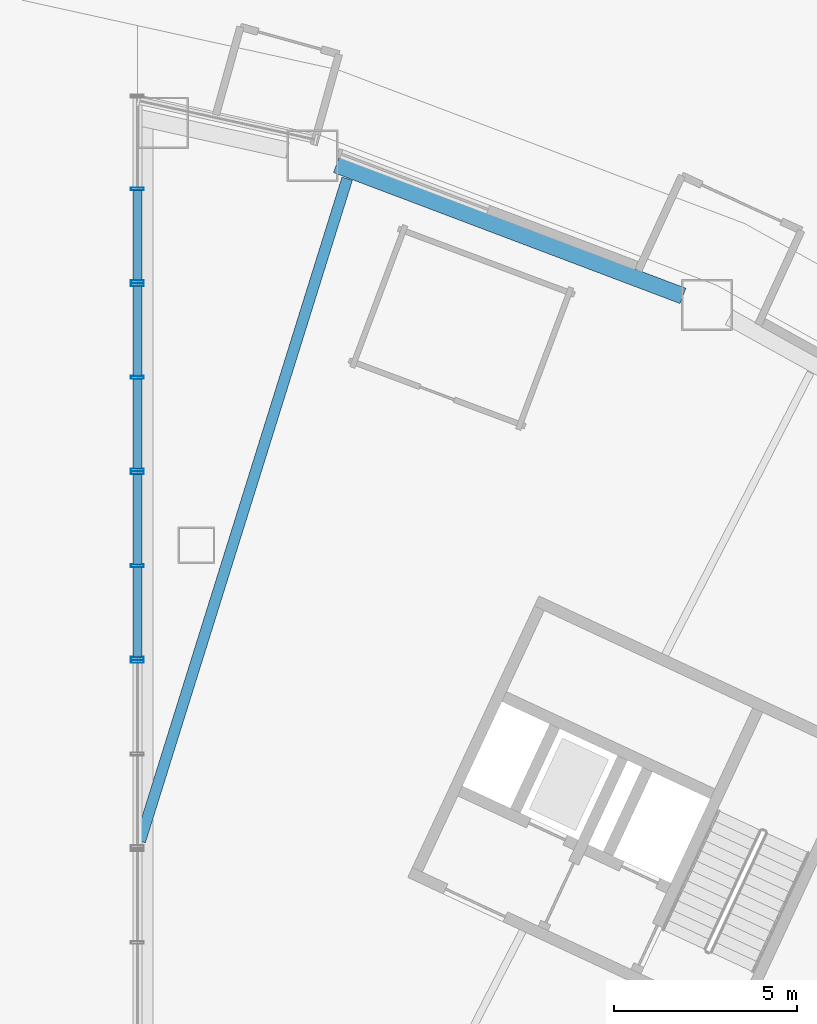
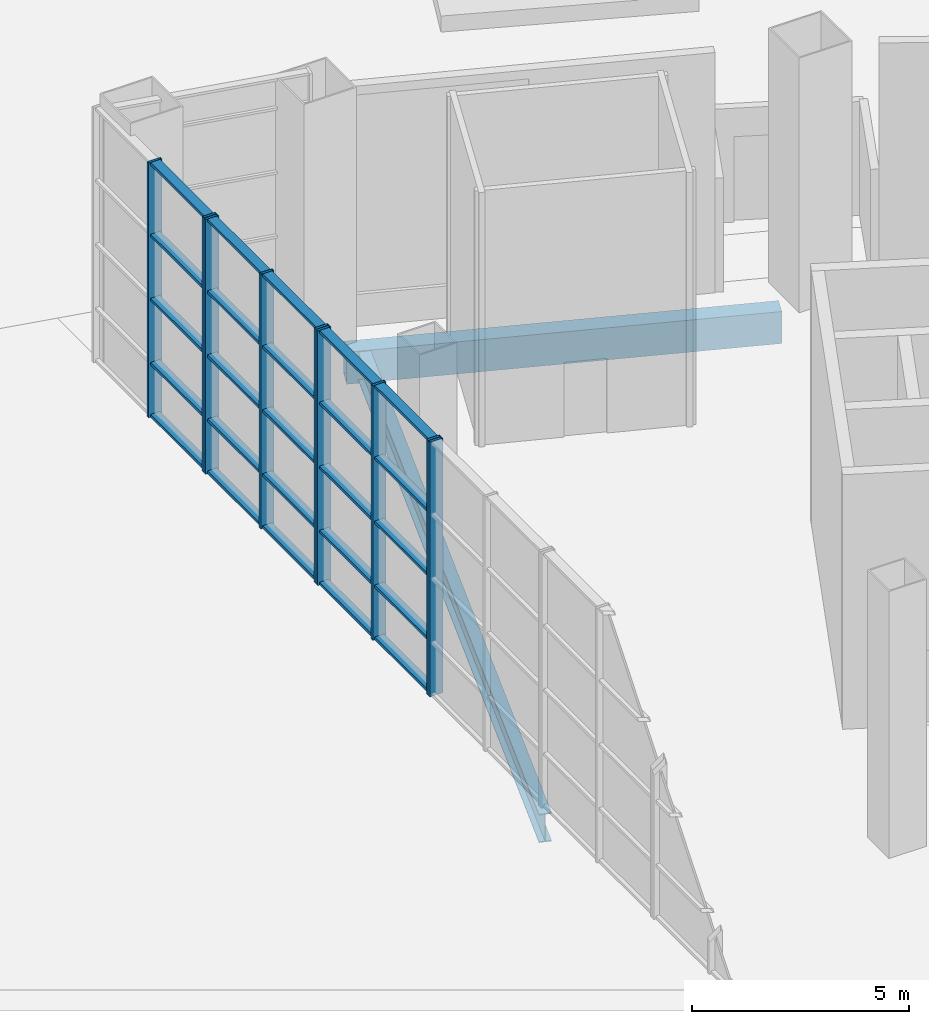
# One storey, part 23 of 45: 34 members, 2 beams, 4 elements without a shape of their own.
"""IFC4 building model written with IfcOpenShell, lengths in metres."""

from ifc_helpers import new_model, si_unit, direction, frame, origin, origin_2d, place, context, subcontext, project, spatial, hollow_rectangle, i_section, extrude, material, layer, layer_set, material_profile, profile_set, type_object, element, aggregate, save


model = new_model("IFC4")

# Units and contexts
model_context = context("Model", 3, precision=1e-05, world=origin(), true_north=direction((0.0, 1.0)))
body_context = subcontext(model_context, "Body", "Model", "MODEL_VIEW")
ifc_project = project(units=[si_unit("LENGTHUNIT", "METRE"), si_unit("AREAUNIT", "SQUARE_METRE"), si_unit("VOLUMEUNIT", "CUBIC_METRE"), si_unit("PLANEANGLEUNIT", "RADIAN"), si_unit("MASSUNIT", "GRAM", prefix="KILO")], contexts=[model_context])

# Site, building, storey
site_placement = place(None, origin())
site = spatial("IfcSite", under=ifc_project, at=site_placement, CompositionType="ELEMENT")
building_placement = place(site_placement, origin())
building = spatial("IfcBuilding", under=site, at=building_placement, Name="Tuul Gate Civic Tower", CompositionType="ELEMENT")
storey_placement = place(building_placement, origin())
storey = spatial("IfcBuildingStorey", under=building, at=storey_placement, Name="Level 00", CompositionType="ELEMENT", Elevation=0.0)

# Curtain wall, member
ifc_material_1 = material(Name="Stainless steel", Category="steel")
ifc_layer = layer(ifc_material_1, 0.199951171875)
ifc_layer_set = layer_set([ifc_layer], Name="Stainless steel")
curtain_wall_type = type_object("IfcCurtainWallType", Name="Curtain wall CW2", PredefinedType="NOTDEFINED", material=ifc_layer_set)
curtain_wall_1_placement = place(storey_placement, origin())
curtain_wall_1 = element("IfcCurtainWall", 1, at=curtain_wall_1_placement, inside=storey, type_object=curtain_wall_type, Name="Curtain wall CW2", PredefinedType="NOTDEFINED")
ifc_material_2 = material(Name="Stainless steel", Category="steel")
ifc_material_profile_1 = material_profile(ifc_material_2, hollow_rectangle(XDim=0.35009765625, YDim=0.080078125, WallThickness=0.006103515625, at=origin_2d()), Name="CW2 mullion")
ifc_profile_set_1 = profile_set([ifc_material_profile_1], Name="Stainless steel")
member_type_1 = type_object("IfcMemberType", Name="CW2 mullion", PredefinedType="MULLION", material=ifc_profile_set_1)
member_1_placement = place(storey_placement, frame((18.0, 2.753173828125, 0.0), z_axis=(0.0, 0.0, 1.0), x_axis=(-1.0, 0.0, 0.0)))
member_1 = element("IfcMember", 2, at=member_1_placement, type_object=member_type_1, Name="Mullion", PredefinedType="MULLION", context=body_context, shape_type="SweptSolid", body=[
    extrude(hollow_rectangle(XDim=0.35009765625, YDim=0.080078125, WallThickness=0.006103515625, at=origin_2d()), origin(), (0.0, 0.0, 1.0), 7.14990234375),
])
aggregate(curtain_wall_1, [member_1])

# Curtain wall, members
curtain_wall_2_placement = place(storey_placement, origin())
curtain_wall_2 = element("IfcCurtainWall", 3, at=curtain_wall_2_placement, inside=storey, type_object=curtain_wall_type, Name="Curtain wall CW2", PredefinedType="NOTDEFINED")
member_2_placement = place(storey_placement, frame((18.0, 2.833251953125, 0.0), z_axis=(0.0, 0.0, 1.0), x_axis=(-1.0, 0.0, 0.0)))
member_2 = element("IfcMember", 4, at=member_2_placement, type_object=member_type_1, Name="Mullion", PredefinedType="MULLION", context=body_context, shape_type="SweptSolid", body=[
    extrude(hollow_rectangle(XDim=0.35009765625, YDim=0.080078125, WallThickness=0.006103515625, at=origin_2d()), origin(), (0.0, 0.0, 1.0), 7.14990234375),
])
member_3_placement = place(storey_placement, frame((18.0, 5.371826171875, 0.0), z_axis=(0.0, 0.0, 1.0), x_axis=(-1.0, 0.0, 0.0)))
member_3 = element("IfcMember", 5, at=member_3_placement, type_object=member_type_1, Name="Mullion", PredefinedType="MULLION", context=body_context, shape_type="SweptSolid", body=[
    extrude(hollow_rectangle(XDim=0.35009765625, YDim=0.080078125, WallThickness=0.006103515625, at=origin_2d()), origin(), (0.0, 0.0, 1.0), 7.14990234375),
])
member_4_placement = place(storey_placement, frame((18.0, 7.910400390625, 0.0), z_axis=(0.0, 0.0, 1.0), x_axis=(-1.0, 0.0, 0.0)))
member_4 = element("IfcMember", 6, at=member_4_placement, type_object=member_type_1, Name="Mullion", PredefinedType="MULLION", context=body_context, shape_type="SweptSolid", body=[
    extrude(hollow_rectangle(XDim=0.35009765625, YDim=0.080078125, WallThickness=0.006103515625, at=origin_2d()), origin(), (0.0, 0.0, 1.0), 7.14990234375),
])

curtain_wall_3_placement = place(storey_placement, origin())
curtain_wall_3 = element("IfcCurtainWall", 7, at=curtain_wall_3_placement, inside=storey, type_object=curtain_wall_type, Name="Curtain wall CW2", PredefinedType="NOTDEFINED")
member_5_placement = place(storey_placement, frame((18.0, 7.990478515625, 0.0), z_axis=(0.0, 0.0, 1.0), x_axis=(-1.0, 0.0, 0.0)))
member_5 = element("IfcMember", 8, at=member_5_placement, type_object=member_type_1, Name="Mullion", PredefinedType="MULLION", context=body_context, shape_type="SweptSolid", body=[
    extrude(hollow_rectangle(XDim=0.35009765625, YDim=0.080078125, WallThickness=0.006103515625, at=origin_2d()), origin(), (0.0, 0.0, 1.0), 7.14990234375),
])
member_6_placement = place(storey_placement, frame((18.0, 10.529052734375, 0.0), z_axis=(0.0, 0.0, 1.0), x_axis=(-1.0, 0.0, 0.0)))
member_6 = element("IfcMember", 9, at=member_6_placement, type_object=member_type_1, Name="Mullion", PredefinedType="MULLION", context=body_context, shape_type="SweptSolid", body=[
    extrude(hollow_rectangle(XDim=0.35009765625, YDim=0.080078125, WallThickness=0.006103515625, at=origin_2d()), origin(), (0.0, 0.0, 1.0), 7.14990234375),
])
member_7_placement = place(storey_placement, frame((18.0, 13.067626953125, 0.0), z_axis=(0.0, 0.0, 1.0), x_axis=(-1.0, 0.0, 0.0)))
member_7 = element("IfcMember", 10, at=member_7_placement, type_object=member_type_1, Name="Mullion", PredefinedType="MULLION", context=body_context, shape_type="SweptSolid", body=[
    extrude(hollow_rectangle(XDim=0.35009765625, YDim=0.080078125, WallThickness=0.006103515625, at=origin_2d()), origin(), (0.0, 0.0, 1.0), 7.14990234375),
])

curtain_wall_4_placement = place(storey_placement, origin())
curtain_wall_4 = element("IfcCurtainWall", 11, at=curtain_wall_4_placement, inside=storey, type_object=curtain_wall_type, Name="Curtain wall CW2", PredefinedType="NOTDEFINED")
member_8_placement = place(storey_placement, frame((18.0, 13.147705078125, 0.0), z_axis=(0.0, 0.0, 1.0), x_axis=(-1.0, 0.0, 0.0)))
member_8 = element("IfcMember", 12, at=member_8_placement, type_object=member_type_1, Name="Mullion", PredefinedType="MULLION", context=body_context, shape_type="SweptSolid", body=[
    extrude(hollow_rectangle(XDim=0.35009765625, YDim=0.080078125, WallThickness=0.006103515625, at=origin_2d()), origin(), (0.0, 0.0, 1.0), 7.14990234375),
])
member_9_placement = place(storey_placement, frame((18.0, 15.686279296875, 0.0), z_axis=(0.0, 0.0, 1.0), x_axis=(-1.0, 0.0, 0.0)))
member_9 = element("IfcMember", 13, at=member_9_placement, type_object=member_type_1, Name="Mullion", PredefinedType="MULLION", context=body_context, shape_type="SweptSolid", body=[
    extrude(hollow_rectangle(XDim=0.35009765625, YDim=0.080078125, WallThickness=0.006103515625, at=origin_2d()), origin(), (0.0, 0.0, 1.0), 7.14990234375),
])

# Member
ifc_material_3 = material(Name="Stainless steel", Category="steel")
ifc_material_profile_2 = material_profile(ifc_material_3, hollow_rectangle(XDim=0.25, YDim=0.080078125, WallThickness=0.006103515625, at=origin_2d()), Name="CW2 transom")
ifc_profile_set_2 = profile_set([ifc_material_profile_2], Name="Stainless steel")
member_type_2 = type_object("IfcMemberType", Name="CW2 transom", PredefinedType="USERDEFINED", material=ifc_profile_set_2)
member_10_placement = place(storey_placement, frame((18.0, 2.873046875, 0.0400390625), z_axis=(0.0, 1.0, 0.0), x_axis=(-1.0, 0.0, 0.0)))
member_10 = element("IfcMember", 14, at=member_10_placement, type_object=member_type_2, Name="Transom", ObjectType="TRANSOM", PredefinedType="USERDEFINED", context=body_context, shape_type="SweptSolid", body=[
    extrude(hollow_rectangle(XDim=0.25, YDim=0.080078125, WallThickness=0.006103515625, at=origin_2d()), origin(), (0.0, 0.0, 1.0), 2.458740234375),
])

member_11_placement = place(storey_placement, frame((18.0, 2.873046875, 1.5), z_axis=(0.0, 1.0, 0.0), x_axis=(-1.0, 0.0, 0.0)))
member_11 = element("IfcMember", 15, at=member_11_placement, type_object=member_type_2, Name="Transom", ObjectType="TRANSOM", PredefinedType="USERDEFINED", context=body_context, shape_type="SweptSolid", body=[
    extrude(hollow_rectangle(XDim=0.25, YDim=0.080078125, WallThickness=0.006103515625, at=origin_2d()), origin(), (0.0, 0.0, 1.0), 2.458740234375),
])

member_12_placement = place(storey_placement, frame((18.0, 2.873046875, 3.300048828125), z_axis=(0.0, 1.0, 0.0), x_axis=(-1.0, 0.0, 0.0)))
member_12 = element("IfcMember", 16, at=member_12_placement, type_object=member_type_2, Name="Transom", ObjectType="TRANSOM", PredefinedType="USERDEFINED", context=body_context, shape_type="SweptSolid", body=[
    extrude(hollow_rectangle(XDim=0.25, YDim=0.080078125, WallThickness=0.006103515625, at=origin_2d()), origin(), (0.0, 0.0, 1.0), 2.458740234375),
])

member_13_placement = place(storey_placement, frame((18.0, 2.873046875, 5.10009765625), z_axis=(0.0, 1.0, 0.0), x_axis=(-1.0, 0.0, 0.0)))
member_13 = element("IfcMember", 17, at=member_13_placement, type_object=member_type_2, Name="Transom", ObjectType="TRANSOM", PredefinedType="USERDEFINED", context=body_context, shape_type="SweptSolid", body=[
    extrude(hollow_rectangle(XDim=0.25, YDim=0.080078125, WallThickness=0.006103515625, at=origin_2d()), origin(), (0.0, 0.0, 1.0), 2.458740234375),
])

member_14_placement = place(storey_placement, frame((18.0, 2.873046875, 7.110107421875), z_axis=(0.0, 1.0, 0.0), x_axis=(-1.0, 0.0, 0.0)))
member_14 = element("IfcMember", 18, at=member_14_placement, type_object=member_type_2, Name="Transom", ObjectType="TRANSOM", PredefinedType="USERDEFINED", context=body_context, shape_type="SweptSolid", body=[
    extrude(hollow_rectangle(XDim=0.25, YDim=0.080078125, WallThickness=0.006103515625, at=origin_2d()), origin(), (0.0, 0.0, 1.0), 2.458740234375),
])

member_15_placement = place(storey_placement, frame((18.0, 5.411865234375, 0.0400390625), z_axis=(0.0, 1.0, 0.0), x_axis=(-1.0, 0.0, 0.0)))
member_15 = element("IfcMember", 19, at=member_15_placement, type_object=member_type_2, Name="Transom", ObjectType="TRANSOM", PredefinedType="USERDEFINED", context=body_context, shape_type="SweptSolid", body=[
    extrude(hollow_rectangle(XDim=0.25, YDim=0.080078125, WallThickness=0.006103515625, at=origin_2d()), origin(), (0.0, 0.0, 1.0), 2.45849609375),
])

member_16_placement = place(storey_placement, frame((18.0, 5.411865234375, 1.5), z_axis=(0.0, 1.0, 0.0), x_axis=(-1.0, 0.0, 0.0)))
member_16 = element("IfcMember", 20, at=member_16_placement, type_object=member_type_2, Name="Transom", ObjectType="TRANSOM", PredefinedType="USERDEFINED", context=body_context, shape_type="SweptSolid", body=[
    extrude(hollow_rectangle(XDim=0.25, YDim=0.080078125, WallThickness=0.006103515625, at=origin_2d()), origin(), (0.0, 0.0, 1.0), 2.45849609375),
])

member_17_placement = place(storey_placement, frame((18.0, 5.411865234375, 3.300048828125), z_axis=(0.0, 1.0, 0.0), x_axis=(-1.0, 0.0, 0.0)))
member_17 = element("IfcMember", 21, at=member_17_placement, type_object=member_type_2, Name="Transom", ObjectType="TRANSOM", PredefinedType="USERDEFINED", context=body_context, shape_type="SweptSolid", body=[
    extrude(hollow_rectangle(XDim=0.25, YDim=0.080078125, WallThickness=0.006103515625, at=origin_2d()), origin(), (0.0, 0.0, 1.0), 2.45849609375),
])

member_18_placement = place(storey_placement, frame((18.0, 5.411865234375, 5.10009765625), z_axis=(0.0, 1.0, 0.0), x_axis=(-1.0, 0.0, 0.0)))
member_18 = element("IfcMember", 22, at=member_18_placement, type_object=member_type_2, Name="Transom", ObjectType="TRANSOM", PredefinedType="USERDEFINED", context=body_context, shape_type="SweptSolid", body=[
    extrude(hollow_rectangle(XDim=0.25, YDim=0.080078125, WallThickness=0.006103515625, at=origin_2d()), origin(), (0.0, 0.0, 1.0), 2.45849609375),
])

member_19_placement = place(storey_placement, frame((18.0, 5.411865234375, 7.110107421875), z_axis=(0.0, 1.0, 0.0), x_axis=(-1.0, 0.0, 0.0)))
member_19 = element("IfcMember", 23, at=member_19_placement, type_object=member_type_2, Name="Transom", ObjectType="TRANSOM", PredefinedType="USERDEFINED", context=body_context, shape_type="SweptSolid", body=[
    extrude(hollow_rectangle(XDim=0.25, YDim=0.080078125, WallThickness=0.006103515625, at=origin_2d()), origin(), (0.0, 0.0, 1.0), 2.45849609375),
])

aggregate(curtain_wall_2, [member_2, member_3, member_4, member_10, member_11, member_12, member_13, member_14, member_15, member_16, member_17, member_18, member_19])

member_20_placement = place(storey_placement, frame((18.0, 8.030517578125, 0.0400390625), z_axis=(0.0, 1.0, 0.0), x_axis=(-1.0, 0.0, 0.0)))
member_20 = element("IfcMember", 24, at=member_20_placement, type_object=member_type_2, Name="Transom", ObjectType="TRANSOM", PredefinedType="USERDEFINED", context=body_context, shape_type="SweptSolid", body=[
    extrude(hollow_rectangle(XDim=0.25, YDim=0.080078125, WallThickness=0.006103515625, at=origin_2d()), origin(), (0.0, 0.0, 1.0), 2.45849609375),
])

member_21_placement = place(storey_placement, frame((18.0, 8.030517578125, 1.5), z_axis=(0.0, 1.0, 0.0), x_axis=(-1.0, 0.0, 0.0)))
member_21 = element("IfcMember", 25, at=member_21_placement, type_object=member_type_2, Name="Transom", ObjectType="TRANSOM", PredefinedType="USERDEFINED", context=body_context, shape_type="SweptSolid", body=[
    extrude(hollow_rectangle(XDim=0.25, YDim=0.080078125, WallThickness=0.006103515625, at=origin_2d()), origin(), (0.0, 0.0, 1.0), 2.45849609375),
])

member_22_placement = place(storey_placement, frame((18.0, 8.030517578125, 3.300048828125), z_axis=(0.0, 1.0, 0.0), x_axis=(-1.0, 0.0, 0.0)))
member_22 = element("IfcMember", 26, at=member_22_placement, type_object=member_type_2, Name="Transom", ObjectType="TRANSOM", PredefinedType="USERDEFINED", context=body_context, shape_type="SweptSolid", body=[
    extrude(hollow_rectangle(XDim=0.25, YDim=0.080078125, WallThickness=0.006103515625, at=origin_2d()), origin(), (0.0, 0.0, 1.0), 2.45849609375),
])

member_23_placement = place(storey_placement, frame((18.0, 8.030517578125, 5.10009765625), z_axis=(0.0, 1.0, 0.0), x_axis=(-1.0, 0.0, 0.0)))
member_23 = element("IfcMember", 27, at=member_23_placement, type_object=member_type_2, Name="Transom", ObjectType="TRANSOM", PredefinedType="USERDEFINED", context=body_context, shape_type="SweptSolid", body=[
    extrude(hollow_rectangle(XDim=0.25, YDim=0.080078125, WallThickness=0.006103515625, at=origin_2d()), origin(), (0.0, 0.0, 1.0), 2.45849609375),
])

member_24_placement = place(storey_placement, frame((18.0, 8.030517578125, 7.110107421875), z_axis=(0.0, 1.0, 0.0), x_axis=(-1.0, 0.0, 0.0)))
member_24 = element("IfcMember", 28, at=member_24_placement, type_object=member_type_2, Name="Transom", ObjectType="TRANSOM", PredefinedType="USERDEFINED", context=body_context, shape_type="SweptSolid", body=[
    extrude(hollow_rectangle(XDim=0.25, YDim=0.080078125, WallThickness=0.006103515625, at=origin_2d()), origin(), (0.0, 0.0, 1.0), 2.45849609375),
])

member_25_placement = place(storey_placement, frame((18.0, 10.569091796875, 0.0400390625), z_axis=(0.0, 1.0, 0.0), x_axis=(-1.0, 0.0, 0.0)))
member_25 = element("IfcMember", 29, at=member_25_placement, type_object=member_type_2, Name="Transom", ObjectType="TRANSOM", PredefinedType="USERDEFINED", context=body_context, shape_type="SweptSolid", body=[
    extrude(hollow_rectangle(XDim=0.25, YDim=0.080078125, WallThickness=0.006103515625, at=origin_2d()), origin(), (0.0, 0.0, 1.0), 2.458740234375),
])

member_26_placement = place(storey_placement, frame((18.0, 10.569091796875, 1.5), z_axis=(0.0, 1.0, 0.0), x_axis=(-1.0, 0.0, 0.0)))
member_26 = element("IfcMember", 30, at=member_26_placement, type_object=member_type_2, Name="Transom", ObjectType="TRANSOM", PredefinedType="USERDEFINED", context=body_context, shape_type="SweptSolid", body=[
    extrude(hollow_rectangle(XDim=0.25, YDim=0.080078125, WallThickness=0.006103515625, at=origin_2d()), origin(), (0.0, 0.0, 1.0), 2.458740234375),
])

member_27_placement = place(storey_placement, frame((18.0, 10.569091796875, 3.300048828125), z_axis=(0.0, 1.0, 0.0), x_axis=(-1.0, 0.0, 0.0)))
member_27 = element("IfcMember", 31, at=member_27_placement, type_object=member_type_2, Name="Transom", ObjectType="TRANSOM", PredefinedType="USERDEFINED", context=body_context, shape_type="SweptSolid", body=[
    extrude(hollow_rectangle(XDim=0.25, YDim=0.080078125, WallThickness=0.006103515625, at=origin_2d()), origin(), (0.0, 0.0, 1.0), 2.458740234375),
])

member_28_placement = place(storey_placement, frame((18.0, 10.569091796875, 5.10009765625), z_axis=(0.0, 1.0, 0.0), x_axis=(-1.0, 0.0, 0.0)))
member_28 = element("IfcMember", 32, at=member_28_placement, type_object=member_type_2, Name="Transom", ObjectType="TRANSOM", PredefinedType="USERDEFINED", context=body_context, shape_type="SweptSolid", body=[
    extrude(hollow_rectangle(XDim=0.25, YDim=0.080078125, WallThickness=0.006103515625, at=origin_2d()), origin(), (0.0, 0.0, 1.0), 2.458740234375),
])

member_29_placement = place(storey_placement, frame((18.0, 10.569091796875, 7.110107421875), z_axis=(0.0, 1.0, 0.0), x_axis=(-1.0, 0.0, 0.0)))
member_29 = element("IfcMember", 33, at=member_29_placement, type_object=member_type_2, Name="Transom", ObjectType="TRANSOM", PredefinedType="USERDEFINED", context=body_context, shape_type="SweptSolid", body=[
    extrude(hollow_rectangle(XDim=0.25, YDim=0.080078125, WallThickness=0.006103515625, at=origin_2d()), origin(), (0.0, 0.0, 1.0), 2.458740234375),
])

aggregate(curtain_wall_3, [member_5, member_6, member_7, member_20, member_21, member_22, member_23, member_24, member_25, member_26, member_27, member_28, member_29])

member_30_placement = place(storey_placement, frame((18.0, 13.187744140625, 0.0400390625), z_axis=(0.0, 1.0, 0.0), x_axis=(-1.0, 0.0, 0.0)))
member_30 = element("IfcMember", 34, at=member_30_placement, type_object=member_type_2, Name="Transom", ObjectType="TRANSOM", PredefinedType="USERDEFINED", context=body_context, shape_type="SweptSolid", body=[
    extrude(hollow_rectangle(XDim=0.25, YDim=0.080078125, WallThickness=0.006103515625, at=origin_2d()), origin(), (0.0, 0.0, 1.0), 2.45849609375),
])

member_31_placement = place(storey_placement, frame((18.0, 13.187744140625, 1.5), z_axis=(0.0, 1.0, 0.0), x_axis=(-1.0, 0.0, 0.0)))
member_31 = element("IfcMember", 35, at=member_31_placement, type_object=member_type_2, Name="Transom", ObjectType="TRANSOM", PredefinedType="USERDEFINED", context=body_context, shape_type="SweptSolid", body=[
    extrude(hollow_rectangle(XDim=0.25, YDim=0.080078125, WallThickness=0.006103515625, at=origin_2d()), origin(), (0.0, 0.0, 1.0), 2.45849609375),
])

member_32_placement = place(storey_placement, frame((18.0, 13.187744140625, 3.300048828125), z_axis=(0.0, 1.0, 0.0), x_axis=(-1.0, 0.0, 0.0)))
member_32 = element("IfcMember", 36, at=member_32_placement, type_object=member_type_2, Name="Transom", ObjectType="TRANSOM", PredefinedType="USERDEFINED", context=body_context, shape_type="SweptSolid", body=[
    extrude(hollow_rectangle(XDim=0.25, YDim=0.080078125, WallThickness=0.006103515625, at=origin_2d()), origin(), (0.0, 0.0, 1.0), 2.45849609375),
])

member_33_placement = place(storey_placement, frame((18.0, 13.187744140625, 5.10009765625), z_axis=(0.0, 1.0, 0.0), x_axis=(-1.0, 0.0, 0.0)))
member_33 = element("IfcMember", 37, at=member_33_placement, type_object=member_type_2, Name="Transom", ObjectType="TRANSOM", PredefinedType="USERDEFINED", context=body_context, shape_type="SweptSolid", body=[
    extrude(hollow_rectangle(XDim=0.25, YDim=0.080078125, WallThickness=0.006103515625, at=origin_2d()), origin(), (0.0, 0.0, 1.0), 2.45849609375),
])

member_34_placement = place(storey_placement, frame((18.0, 13.187744140625, 7.110107421875), z_axis=(0.0, 1.0, 0.0), x_axis=(-1.0, 0.0, 0.0)))
member_34 = element("IfcMember", 38, at=member_34_placement, type_object=member_type_2, Name="Transom", ObjectType="TRANSOM", PredefinedType="USERDEFINED", context=body_context, shape_type="SweptSolid", body=[
    extrude(hollow_rectangle(XDim=0.25, YDim=0.080078125, WallThickness=0.006103515625, at=origin_2d()), origin(), (0.0, 0.0, 1.0), 2.45849609375),
])

aggregate(curtain_wall_4, [member_8, member_9, member_30, member_31, member_32, member_33, member_34])

# Beams
ifc_material_4 = material(Name="Steel S355", Category="steel")
ifc_material_profile_3 = material_profile(ifc_material_4, i_section(OverallWidth=0.300048828125, OverallDepth=0.800048828125, WebThickness=0.013916015625, FlangeThickness=0.02490234375, at=origin_2d()), Name="PG800x300x14x25")
ifc_profile_set_3 = profile_set([ifc_material_profile_3], Name="Steel S355")
beam_type_1 = type_object("IfcBeamType", Name="STR-FLOOR BEAM-PG800x300x14x25", PredefinedType="BEAM", material=ifc_profile_set_3)
beam_1_placement = place(storey_placement, frame((18.074951171875, -2.170654296875, -0.800048828125), z_axis=(0.298323272371, 0.954464889434, 0.0), x_axis=(-0.954464889434, 0.298323272371, 0.0)))
element("IfcBeam", 39, at=beam_1_placement, inside=storey, type_object=beam_type_1, Name="Floor beam", PredefinedType="BEAM", context=body_context, shape_type="SweptSolid", body=[
    extrude(i_section(OverallWidth=0.300048828125, OverallDepth=0.800048828125, WebThickness=0.013916015625, FlangeThickness=0.02490234375, at=origin_2d()), origin(), (0.0, 0.0, 1.0), 19.00341796875),
])
ifc_material_5 = material(Name="Steel S355", Category="steel")
ifc_material_profile_4 = material_profile(ifc_material_5, hollow_rectangle(XDim=0.449951171875, YDim=0.89990234375, WallThickness=0.02490234375, at=origin_2d()), Name="BOX900x450x25")
ifc_profile_set_4 = profile_set([ifc_material_profile_4], Name="Steel S355")
beam_type_2 = type_object("IfcBeamType", Name="STR-SPANDREL BEAM-BOX900x450x25", PredefinedType="BEAM", material=ifc_profile_set_4)
beam_2_placement = place(storey_placement, frame((32.937255859375, 12.758544921875, -0.85009765625), z_axis=(-0.935355549891, 0.353708913215, 0.0), x_axis=(-0.353708913215, -0.935355549891, 0.0)))
element("IfcBeam", 40, at=beam_2_placement, inside=storey, type_object=beam_type_2, Name="Spandrel beam", PredefinedType="BEAM", context=body_context, shape_type="SweptSolid", body=[
    extrude(hollow_rectangle(XDim=0.449951171875, YDim=0.89990234375, WallThickness=0.02490234375, at=origin_2d()), origin(), (0.0, 0.0, 1.0), 10.146484375),
])

save(model, "model.ifc")
